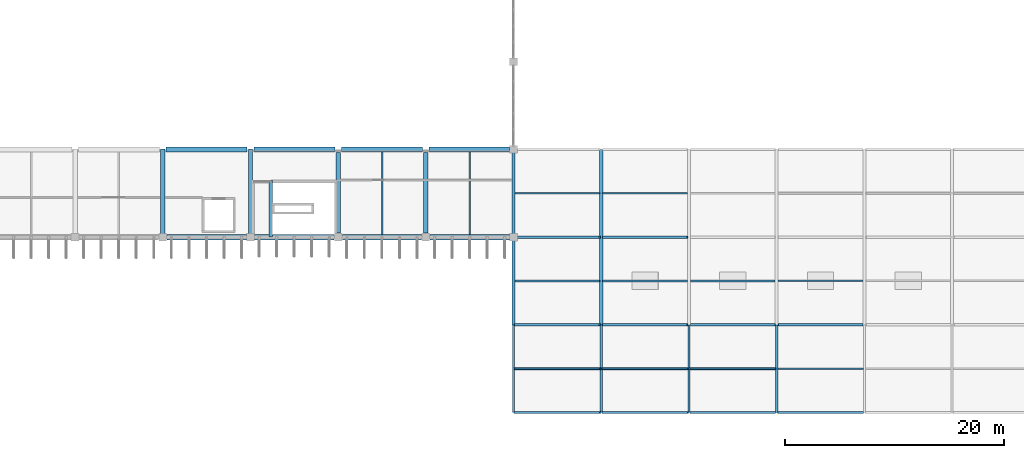
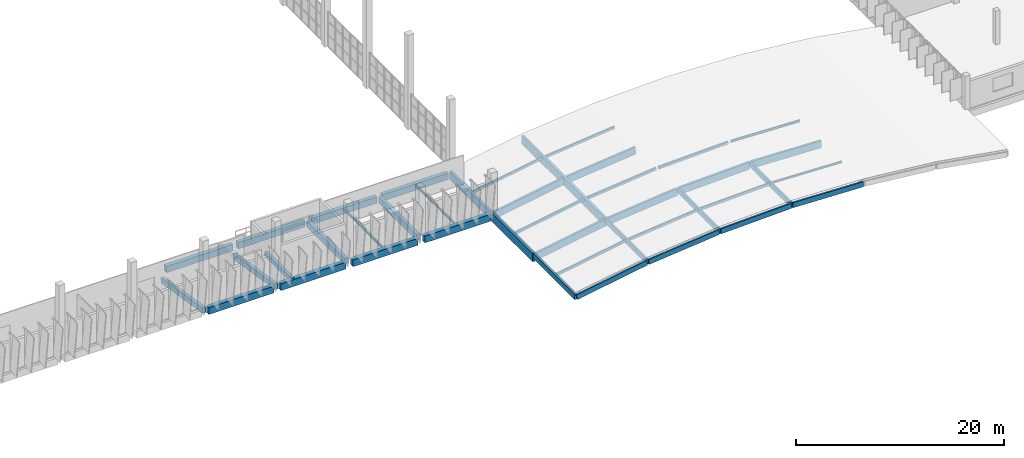
# One storey, part 12 of 66: 31 beams, 10 members.
"""IFC4 building model written with IfcOpenShell, lengths in metres."""

import ifcopenshell
import ifcopenshell.guid

model = None  # the IFC model being written
_history = None  # IfcOwnerHistory: only IFC2X3 demands one
_inside = {}  # id of a spatial element -> (the spatial element, [elements in it])
_under = {}  # id of a project, library or spatial element -> (it, [spatial elements below it])
_declared = {}  # id of a project -> (the project, [libraries it declares])
_typed = {}  # id of a type object -> (the type object, [elements of that type])
_made_of = {}  # id of a material, layer set ... -> (it, [elements and type objects made of it])


def new_model(schema):
    """Start an empty IFC model of exactly this schema.

    Asked for "IFC4X3", IfcOpenShell would pick the latest addendum, in which some entities
    have other attributes; the version numbers below select the first issue.
    IFC2X3 requires an IfcOwnerHistory on every rooted entity: one is made here for all.
    """
    global model, _history
    if schema == "IFC4X3":
        model = ifcopenshell.file(schema_version=(4, 3, 0, 0))
    else:
        model = ifcopenshell.file(schema=schema)
    _inside.clear()
    _under.clear()
    _declared.clear()
    _typed.clear()
    _made_of.clear()
    _history = None
    if model.schema == "IFC2X3":
        org = make("IfcOrganization", Name="unknown")
        user = make(
            "IfcPersonAndOrganization",
            ThePerson=make("IfcPerson", FamilyName="unknown"),
            TheOrganization=org,
        )
        app = make(
            "IfcApplication",
            ApplicationDeveloper=org,
            Version="unknown",
            ApplicationFullName="unknown",
            ApplicationIdentifier="unknown",
        )
        _history = make(
            "IfcOwnerHistory",
            OwningUser=user,
            OwningApplication=app,
            ChangeAction="ADDED",
            CreationDate=0,
        )
    return model


def make(cls, **values):
    """One entity of the class cls with the attributes given. An attribute that is None is left unset."""
    return model.create_entity(
        cls, **{name: value for name, value in values.items() if value is not None}
    )


def rooted(cls, **values):
    """An entity with a GlobalId (a new one), such as an element, a storey or a relation."""
    return make(cls, GlobalId=ifcopenshell.guid.new(), OwnerHistory=_history, **values)


def si_unit(unit_type, name, prefix=None):
    """IfcSIUnit, for example si_unit("LENGTHUNIT", "METRE", prefix="MILLI")."""
    return make("IfcSIUnit", UnitType=unit_type, Prefix=prefix, Name=name)


def assignment(units):
    """IfcUnitAssignment: the units of a project."""
    return None if units is None else make("IfcUnitAssignment", Units=units)


def point(xyz):
    """IfcCartesianPoint."""
    return None if xyz is None else make("IfcCartesianPoint", Coordinates=xyz)


def direction(xyz):
    """IfcDirection."""
    return None if xyz is None else make("IfcDirection", DirectionRatios=xyz)


def frame(location, z_axis=None, x_axis=None):
    """IfcAxis2Placement3D, a coordinate frame: its origin and axes. An axis left out is left unset."""
    return make(
        "IfcAxis2Placement3D",
        Location=point(location),
        Axis=direction(z_axis),
        RefDirection=direction(x_axis),
    )


def frame_2d(location, x_axis=None):
    """IfcAxis2Placement2D, a coordinate frame in the plane: its origin and x axis."""
    return make(
        "IfcAxis2Placement2D", Location=point(location), RefDirection=direction(x_axis)
    )


def origin():
    """The frame at (0, 0, 0) with its axes left unset."""
    return frame((0.0, 0.0, 0.0))


def origin_2d():
    """The frame at (0, 0) in the plane with its x axis left unset."""
    return frame_2d((0.0, 0.0))


def place(relative_to, where):
    """IfcLocalPlacement: puts the frame where relative to a parent placement (None: the world)."""
    return make(
        "IfcLocalPlacement", PlacementRelTo=relative_to, RelativePlacement=where
    )


def context(
    kind, dimensions, precision=None, world=None, true_north=None, identifier=None
):
    """IfcGeometricRepresentationContext, for example the 3D "Model" context."""
    return make(
        "IfcGeometricRepresentationContext",
        ContextIdentifier=identifier,
        ContextType=kind,
        CoordinateSpaceDimension=dimensions,
        Precision=precision,
        WorldCoordinateSystem=world,
        TrueNorth=true_north,
    )


def subcontext(parent, identifier, kind, view, scale=None):
    """IfcGeometricRepresentationSubContext, for example "Body" below "Model"."""
    return make(
        "IfcGeometricRepresentationSubContext",
        ContextIdentifier=identifier,
        ContextType=kind,
        ParentContext=parent,
        TargetScale=scale,
        TargetView=view,
    )


def project(units=None, contexts=None):
    """IfcProject with its units and contexts."""
    return rooted(
        "IfcProject",
        Name="project",
        RepresentationContexts=contexts,
        UnitsInContext=assignment(units),
    )


def spatial(cls, under=None, at=None, **own):
    """A site, building, storey or space (cls), placed at a placement, below another one or the project."""
    s = rooted(cls, ObjectPlacement=at, **own)
    if under is not None:
        _under.setdefault(under.id(), (under, []))[1].append(s)
    return s


def profile(cls, at=None, kind="AREA", **sizes):
    """A parametric profile (cls). Its sizes go by their IFC names, for example OverallWidth=200.0."""
    return make(cls, ProfileType=kind, Position=at, **sizes)


def rectangle(**sizes):
    """IfcRectangleProfileDef."""
    return profile("IfcRectangleProfileDef", **sizes)


def hollow_rectangle(**sizes):
    """IfcRectangleHollowProfileDef."""
    return profile("IfcRectangleHollowProfileDef", **sizes)


def i_section(**sizes):
    """IfcIShapeProfileDef."""
    return profile("IfcIShapeProfileDef", **sizes)


def extrude(swept, where, along, depth):
    """IfcExtrudedAreaSolid: the profile swept, set in the frame where, extruded along a direction by depth."""
    return make(
        "IfcExtrudedAreaSolid",
        SweptArea=swept,
        Position=where,
        ExtrudedDirection=direction(along),
        Depth=depth,
    )


def shape(context_of_items, identifier, shape_type, items):
    """IfcShapeRepresentation: the items that make up one representation, for example the "Body"."""
    return make(
        "IfcShapeRepresentation",
        ContextOfItems=context_of_items,
        RepresentationIdentifier=identifier,
        RepresentationType=shape_type,
        Items=items,
    )


def material(Name=None, Category=None):
    """IfcMaterial."""
    return make("IfcMaterial", Name=Name, Category=Category)


def material_profile(
    of_material, cross_section, Name=None, Category=None, Priority=None
):
    """IfcMaterialProfile: a cross section and its material."""
    return make(
        "IfcMaterialProfile",
        Name=Name,
        Material=of_material,
        Profile=cross_section,
        Priority=Priority,
        Category=Category,
    )


def profile_set(profiles, Name=None, composite=None):
    """IfcMaterialProfileSet."""
    return make(
        "IfcMaterialProfileSet",
        Name=Name,
        MaterialProfiles=profiles,
        CompositeProfile=composite,
    )


def made_of(thing, what):
    """Note that an element or type object is made of a material, layer set ...; save() writes the relation."""
    if what is not None:
        _made_of.setdefault(what.id(), (what, []))[1].append(thing)
    return thing


def type_object(cls, material=None, **own):
    """A type object (cls), such as IfcWallType, which elements share."""
    return made_of(rooted(cls, **own), material)


def element(
    cls,
    number,
    at=None,
    inside=None,
    cuts=None,
    type_object=None,
    material=None,
    context=None,
    identifier="Body",
    shape_type=None,
    held_by="IfcProductDefinitionShape",
    body=None,
    shapes=None,
    **own,
):
    """One element of the class cls, such as IfcWall. Its Tag is "e" and its number.

    at: its placement. inside: the storey or other place that contains it. cuts: it is an
    opening in that element (IfcRelVoidsElement). A single representation is given by context,
    identifier, shape_type and body (its items); several are given by shapes. held_by: the class
    of the entity that holds the representations. save() writes the other relations.
    """
    e = rooted(cls, Tag="e%d" % number, ObjectPlacement=at, **own)
    if body is not None:
        shapes = [shape(context, identifier, shape_type, body)]
    if shapes is not None:
        e.Representation = make(held_by, Representations=shapes)
    if inside is not None:
        _inside.setdefault(inside.id(), (inside, []))[1].append(e)
    if cuts is not None:
        rooted(
            "IfcRelVoidsElement", RelatingBuildingElement=cuts, RelatedOpeningElement=e
        )
    if type_object is not None:
        _typed.setdefault(type_object.id(), (type_object, []))[1].append(e)
    return made_of(e, material)


def aggregate(whole, parts):
    """IfcRelAggregates: a whole, such as a stair, and the parts it consists of."""
    return rooted("IfcRelAggregates", RelatingObject=whole, RelatedObjects=parts)


def save(model, path):
    """Write the relations noted so far, then the file.

    IfcRelAggregates (storeys below a building ...), IfcRelContainedInSpatialStructure (elements
    in a storey), IfcRelDefinesByType, IfcRelAssociatesMaterial and IfcRelDeclares: one each for
    every whole, place, type object, material and project.
    """
    for whole, parts in _under.values():
        aggregate(whole, parts)
    for where, things in _inside.values():
        rooted(
            "IfcRelContainedInSpatialStructure",
            RelatedElements=things,
            RelatingStructure=where,
        )
    for kind, things in _typed.values():
        rooted("IfcRelDefinesByType", RelatedObjects=things, RelatingType=kind)
    for what, things in _made_of.values():
        rooted("IfcRelAssociatesMaterial", RelatedObjects=things, RelatingMaterial=what)
    for by, libraries in _declared.values():
        rooted("IfcRelDeclares", RelatingContext=by, RelatedDefinitions=libraries)
    model.write(path)


model = new_model("IFC4")

# Units and contexts
model_context = context("Model", 3, precision=1e-05, world=origin(), true_north=direction((0.0, 1.0)))
body_context = subcontext(model_context, "Body", "Model", "MODEL_VIEW")
ifc_project = project(units=[si_unit("LENGTHUNIT", "METRE"), si_unit("AREAUNIT", "SQUARE_METRE"), si_unit("VOLUMEUNIT", "CUBIC_METRE"), si_unit("PLANEANGLEUNIT", "RADIAN"), si_unit("MASSUNIT", "GRAM", prefix="KILO")], contexts=[model_context])

# Site, building, storey
site_placement = place(None, origin())
site = spatial("IfcSite", under=ifc_project, at=site_placement, CompositionType="ELEMENT")
building_placement = place(site_placement, origin())
building = spatial("IfcBuilding", under=site, at=building_placement, Name="Drelvana Railside Aquatics Centre", CompositionType="ELEMENT")
storey_placement = place(building_placement, frame((0.0, 0.0, 10.199951171875)))
storey = spatial("IfcBuildingStorey", under=building, at=storey_placement, Name="L02", CompositionType="ELEMENT", Elevation=10.199951171875)

# Beams
ifc_material_1 = material(Name="Concrete C40/50", Category="concrete")
ifc_material_profile_1 = material_profile(ifc_material_1, rectangle(XDim=0.35009765625, YDim=0.550048828125, at=origin_2d()), Name="RC 350x550")
ifc_profile_set_1 = profile_set([ifc_material_profile_1], Name="Concrete C40/50")
beam_type_1 = type_object("IfcBeamType", Name="STR-BM-BM-01-RC-350x550", PredefinedType="BEAM", material=ifc_profile_set_1)
beam_1_placement = place(storey_placement, frame((73.85009765625, 16.0, -0.474853515625), z_axis=(0.0, 1.0, 0.0), x_axis=(-1.0, 0.0, 0.0)))
element("IfcBeam", 1, at=beam_1_placement, inside=storey, type_object=beam_type_1, Name="Stair ST-02 L02 landing beam", PredefinedType="BEAM", context=body_context, shape_type="SweptSolid", body=[
    extrude(rectangle(XDim=0.35009765625, YDim=0.550048828125, at=origin_2d()), origin(), (0.0, 0.0, 1.0), 5.199951171875),
])
ifc_material_profile_2 = material_profile(ifc_material_1, rectangle(XDim=0.39990234375, YDim=0.699951171875, at=origin_2d()), Name="RC 400x700")
ifc_profile_set_2 = profile_set([ifc_material_profile_2], Name="Concrete C40/50")
beam_type_2 = type_object("IfcBeamType", Name="STR-BM-BM-03-RC-400x700", PredefinedType="BEAM", material=ifc_profile_set_2)
for number, where, z_axis, x_axis, name in (
    (2, (80.0, 16.375, -0.599853515625), (0.0, 1.0, 0.0), (-1.0, 0.0, 0.0), "Girder BM-03 (L02)"),
    (3, (88.0, 16.375, -0.599853515625), (0.0, 1.0, 0.0), (-1.0, 0.0, 0.0), "Girder BM-03 (L02)"),
):
    element("IfcBeam", number, at=place(storey_placement, frame(where, z_axis=z_axis, x_axis=x_axis)), inside=storey, type_object=beam_type_2, Name=name, PredefinedType="BEAM", context=body_context, shape_type="SweptSolid", body=[
        extrude(rectangle(XDim=0.39990234375, YDim=0.699951171875, at=origin_2d()), origin(), (0.0, 0.0, 1.0), 7.324951171875),
    ])
ifc_material_profile_3 = material_profile(ifc_material_1, rectangle(XDim=0.449951171875, YDim=0.75, at=origin_2d()), Name="RC 450x750")
ifc_profile_set_3 = profile_set([ifc_material_profile_3], Name="Concrete C40/50")
beam_type_3 = type_object("IfcBeamType", Name="STR-BM-BM-04-RC-450x750", PredefinedType="BEAM", material=ifc_profile_set_3)
for number, where, z_axis, x_axis, name in (
    (4, (64.300048828125, 24.0, -0.625), (1.0, 0.0, 0.0), (0.0, 1.0, 0.0), "Girder BM-04 (L02)"),
    (5, (72.300048828125, 24.0, -0.625), (1.0, 0.0, 0.0), (0.0, 1.0, 0.0), "Girder BM-04 (L02)"),
    (6, (80.300048828125, 24.0, -0.625), (1.0, 0.0, 0.0), (0.0, 1.0, 0.0), "Girder BM-04 (L02)"),
):
    element("IfcBeam", number, at=place(storey_placement, frame(where, z_axis=z_axis, x_axis=x_axis)), inside=storey, type_object=beam_type_3, Name=name, PredefinedType="BEAM", context=body_context, shape_type="SweptSolid", body=[
        extrude(rectangle(XDim=0.449951171875, YDim=0.75, at=origin_2d()), origin(), (0.0, 0.0, 1.0), 7.39990234375),
    ])
beam_2_placement = place(storey_placement, frame((88.300048828125, 24.0, -0.625), z_axis=(1.0, 0.0, 0.0), x_axis=(0.0, 1.0, 0.0)))
element("IfcBeam", 7, at=beam_2_placement, inside=storey, type_object=beam_type_3, Name="Girder BM-04 (L02)", PredefinedType="BEAM", context=body_context, shape_type="SweptSolid", body=[
    extrude(rectangle(XDim=0.449951171875, YDim=0.75, at=origin_2d()), origin(), (0.0, 0.0, 1.0), 7.324951171875),
])
ifc_material_profile_4 = material_profile(ifc_material_1, rectangle(XDim=0.5, YDim=0.800048828125, at=origin_2d()), Name="RC 500x800")
ifc_profile_set_4 = profile_set([ifc_material_profile_4], Name="Concrete C40/50")
beam_type_4 = type_object("IfcBeamType", Name="STR-BM-BM-06-RC-500x800", PredefinedType="SPANDREL", material=ifc_profile_set_4)
for number, where, z_axis, x_axis, name in (
    (8, (64.375, 16.0, -0.64990234375), (1.0, 0.0, 0.0), (0.0, 1.0, 0.0), "Girder BM-06 (L02)"),
    (9, (72.375, 16.0, -0.64990234375), (1.0, 0.0, 0.0), (0.0, 1.0, 0.0), "Girder BM-06 (L02)"),
    (10, (80.375, 16.0, -0.64990234375), (1.0, 0.0, 0.0), (0.0, 1.0, 0.0), "Girder BM-06 (L02)"),
    (11, (88.375, 16.0, -0.64990234375), (1.0, 0.0, 0.0), (0.0, 1.0, 0.0), "Girder BM-06 (L02)"),
):
    element("IfcBeam", number, at=place(storey_placement, frame(where, z_axis=z_axis, x_axis=x_axis)), inside=storey, type_object=beam_type_4, Name=name, PredefinedType="SPANDREL", context=body_context, shape_type="SweptSolid", body=[
        extrude(rectangle(XDim=0.5, YDim=0.800048828125, at=origin_2d()), origin(), (0.0, 0.0, 1.0), 7.25),
    ])
ifc_material_profile_5 = material_profile(ifc_material_1, rectangle(XDim=0.39990234375, YDim=0.60009765625, at=origin_2d()), Name="RC 400x600")
ifc_profile_set_5 = profile_set([ifc_material_profile_5], Name="Concrete C40/50")
beam_type_5 = type_object("IfcBeamType", Name="STR-BM-RK-01-RC-400x600", PredefinedType="USERDEFINED", material=ifc_profile_set_5)
for number, where, z_axis, x_axis, name in (
    (12, (64.0, 24.0, -1.849853515625), (0.0, -0.987056549535, 0.160372591239), (1.0, 0.0, 0.0), "Upper stand raker beam RK-01 X64"),
    (13, (72.0, 24.0, -1.849853515625), (0.0, -0.987056549535, 0.160372591239), (1.0, 0.0, 0.0), "Upper stand raker beam RK-01 X72"),
):
    element("IfcBeam", number, at=place(storey_placement, frame(where, z_axis=z_axis, x_axis=x_axis)), inside=storey, type_object=beam_type_5, Name=name, ObjectType="RAKER", PredefinedType="USERDEFINED", context=body_context, shape_type="SweptSolid", body=[
        extrude(rectangle(XDim=0.39990234375, YDim=0.60009765625, at=origin_2d()), origin(), (0.0, 0.0, 1.0), 8.10498046875),
    ])
ifc_material_2 = material(Name="Glulam timber GL28h", Category="wood")
ifc_material_profile_6 = material_profile(ifc_material_2, rectangle(XDim=0.199951171875, YDim=0.60009765625, at=origin_2d()), Name="GL28h 200x600")
ifc_profile_set_6 = profile_set([ifc_material_profile_6], Name="Glulam timber GL28h")
beam_type_6 = type_object("IfcBeamType", Name="STR-GLB-GA-00", PredefinedType="BEAM", material=ifc_profile_set_6)
for number, where, z_axis, x_axis, name in (
    (14, (96.0, 0.0, -0.489990234375), (0.0, 1.0, 0.0), (-1.0, 0.0, 0.0), "Entrance Foyer vault portal beam X96-S"),
    (15, (104.0, 0.0, 0.84326171875), (0.0, 1.0, 0.0), (-1.0, 0.0, 0.0), "Entrance Foyer vault portal beam X104-S"),
    (16, (112.0, 0.0, 1.643310546875), (0.0, 1.0, 0.0), (-1.0, 0.0, 0.0), "Entrance Foyer vault portal beam X112-S"),
    (17, (120.0, 0.0, 1.91015625), (0.0, 1.0, 0.0), (-1.0, 0.0, 0.0), "Entrance Foyer vault portal beam X120-S"),
):
    element("IfcBeam", number, at=place(storey_placement, frame(where, z_axis=z_axis, x_axis=x_axis)), inside=storey, type_object=beam_type_6, Name=name, PredefinedType="BEAM", context=body_context, shape_type="SweptSolid", body=[
        extrude(rectangle(XDim=0.199951171875, YDim=0.60009765625, at=origin_2d()), origin(), (0.0, 0.0, 1.0), 8.0),
    ])
beam_3_placement = place(storey_placement, frame((96.094970703125, 0.0, -0.52490234375), z_axis=(0.98574004103, 0.0, 0.168275284904), x_axis=(0.0, 1.0, 0.0)))
element("IfcBeam", 18, at=beam_3_placement, inside=storey, type_object=beam_type_6, Name="Entrance Foyer vault arch Y0.1", PredefinedType="BEAM", context=body_context, shape_type="SweptSolid", body=[
    extrude(rectangle(XDim=0.199951171875, YDim=0.60009765625, at=origin_2d()), origin(), (0.0, 0.0, 1.0), 7.923095703125),
])
beam_4_placement = place(storey_placement, frame((104.094970703125, 0.0, 0.808349609375), z_axis=(0.994794136777, 0.0, 0.101904982376), x_axis=(0.0, 1.0, 0.0)))
element("IfcBeam", 19, at=beam_4_placement, inside=storey, type_object=beam_type_6, Name="Entrance Foyer vault arch Y0.2", PredefinedType="BEAM", context=body_context, shape_type="SweptSolid", body=[
    extrude(rectangle(XDim=0.199951171875, YDim=0.60009765625, at=origin_2d()), origin(), (0.0, 0.0, 1.0), 7.850830078125),
])
for number, where, z_axis, x_axis, name in (
    (20, (112.094970703125, 0.0, 1.6083984375), (0.999417886784, 0.0, 0.034115796573), (0.0, 1.0, 0.0), "Entrance Foyer vault arch Y0.3"),
    (21, (120.094970703125, 0.0, 1.875), (0.999417886784, 0.0, -0.034115796573), (0.0, 1.0, 0.0), "Entrance Foyer vault arch Y0.4"),
):
    element("IfcBeam", number, at=place(storey_placement, frame(where, z_axis=z_axis, x_axis=x_axis)), inside=storey, type_object=beam_type_6, Name=name, PredefinedType="BEAM", context=body_context, shape_type="SweptSolid", body=[
        extrude(rectangle(XDim=0.199951171875, YDim=0.60009765625, at=origin_2d()), origin(), (0.0, 0.0, 1.0), 7.814697265625),
    ])
ifc_material_profile_7 = material_profile(ifc_material_2, rectangle(XDim=0.239990234375, YDim=0.840087890625, at=origin_2d()), Name="GL28h 240x840")
ifc_profile_set_7 = profile_set([ifc_material_profile_7], Name="Glulam timber GL28h")
beam_type_7 = type_object("IfcBeamType", Name="STR-GLB-GA-02", PredefinedType="BEAM", material=ifc_profile_set_7)
beam_5_placement = place(storey_placement, frame((96.135009765625, 8.0, -0.64501953125), z_axis=(0.985444297957, 0.0, 0.169998634181), x_axis=(0.0, 1.0, 0.0)))
element("IfcBeam", 22, at=beam_5_placement, inside=storey, type_object=beam_type_7, Name="Entrance Foyer vault arch Y8.1", PredefinedType="BEAM", context=body_context, shape_type="SweptSolid", body=[
    extrude(rectangle(XDim=0.239990234375, YDim=0.840087890625, at=origin_2d()), origin(), (0.0, 0.0, 1.0), 7.84423828125),
])
beam_6_placement = place(storey_placement, frame((104.135009765625, 8.0, 0.6884765625), z_axis=(0.994689797807, 0.0, 0.102918444116), x_axis=(0.0, 1.0, 0.0)))
element("IfcBeam", 23, at=beam_6_placement, inside=storey, type_object=beam_type_7, Name="Entrance Foyer vault arch Y8.2", PredefinedType="BEAM", context=body_context, shape_type="SweptSolid", body=[
    extrude(rectangle(XDim=0.239990234375, YDim=0.840087890625, at=origin_2d()), origin(), (0.0, 0.0, 1.0), 7.771240234375),
])
for number, where, z_axis, x_axis, name in (
    (24, (112.135009765625, 8.0, 1.48828125), (0.999404686553, 0.0, 0.034500326019), (0.0, 1.0, 0.0), "Entrance Foyer vault arch Y8.3"),
    (25, (120.135009765625, 8.0, 1.755126953125), (0.999404686553, 0.0, -0.034500326019), (0.0, 1.0, 0.0), "Entrance Foyer vault arch Y8.4"),
):
    element("IfcBeam", number, at=place(storey_placement, frame(where, z_axis=z_axis, x_axis=x_axis)), inside=storey, type_object=beam_type_7, Name=name, PredefinedType="BEAM", context=body_context, shape_type="SweptSolid", body=[
        extrude(rectangle(XDim=0.239990234375, YDim=0.840087890625, at=origin_2d()), origin(), (0.0, 0.0, 1.0), 7.734619140625),
    ])
beam_7_placement = place(storey_placement, frame((96.135009765625, 16.0, -0.64501953125), z_axis=(0.985444297957, 0.0, 0.169998634181), x_axis=(0.0, 1.0, 0.0)))
element("IfcBeam", 26, at=beam_7_placement, inside=storey, type_object=beam_type_7, Name="Entrance Foyer vault arch Y16.1", PredefinedType="BEAM", context=body_context, shape_type="SweptSolid", body=[
    extrude(rectangle(XDim=0.239990234375, YDim=0.840087890625, at=origin_2d()), origin(), (0.0, 0.0, 1.0), 7.84423828125),
])
beam_8_placement = place(storey_placement, frame((104.135009765625, 16.0, 0.6884765625), z_axis=(0.994689797807, 0.0, 0.102918444116), x_axis=(0.0, 1.0, 0.0)))
element("IfcBeam", 27, at=beam_8_placement, inside=storey, type_object=beam_type_7, Name="Entrance Foyer vault arch Y16.2", PredefinedType="BEAM", context=body_context, shape_type="SweptSolid", body=[
    extrude(rectangle(XDim=0.239990234375, YDim=0.840087890625, at=origin_2d()), origin(), (0.0, 0.0, 1.0), 7.771240234375),
])
ifc_material_profile_8 = material_profile(ifc_material_2, rectangle(XDim=0.280029296875, YDim=0.9599609375, at=origin_2d()), Name="GL28h 280x960")
ifc_profile_set_8 = profile_set([ifc_material_profile_8], Name="Glulam timber GL28h")
beam_type_8 = type_object("IfcBeamType", Name="STR-GLB-GA-03", PredefinedType="BEAM", material=ifc_profile_set_8)
for number, where, z_axis, x_axis, name in (
    (28, (96.0, 8.0, -0.72998046875), (0.0, 1.0, 0.0), (-1.0, 0.0, 0.0), "Entrance Foyer vault portal beam X96-N"),
    (29, (104.0, 8.0, 0.663330078125), (0.0, 1.0, 0.0), (-1.0, 0.0, 0.0), "Entrance Foyer vault portal beam X104-N"),
):
    element("IfcBeam", number, at=place(storey_placement, frame(where, z_axis=z_axis, x_axis=x_axis)), inside=storey, type_object=beam_type_8, Name=name, PredefinedType="BEAM", context=body_context, shape_type="SweptSolid", body=[
        extrude(rectangle(XDim=0.280029296875, YDim=0.9599609375, at=origin_2d()), origin(), (0.0, 0.0, 1.0), 16.0),
    ])

# Members
ifc_material_profile_9 = material_profile(ifc_material_2, rectangle(XDim=0.159912109375, YDim=0.320068359375, at=origin_2d()), Name="GL28h 160x320")
ifc_profile_set_9 = profile_set([ifc_material_profile_9], Name="Glulam timber GL28h")
member_type_1 = type_object("IfcMemberType", Name="STR-GLM-GR-01", PredefinedType="RAFTER", material=ifc_profile_set_9)
member_1_placement = place(storey_placement, frame((96.094970703125, 4.0, -0.385009765625), z_axis=(0.985734929308, 0.0, 0.168305226129), x_axis=(0.0, 1.0, 0.0)))
element("IfcMember", 30, at=member_1_placement, inside=storey, type_object=member_type_1, Name="Entrance Foyer vault purlin Y4.1", PredefinedType="RAFTER", context=body_context, shape_type="SweptSolid", body=[
    extrude(rectangle(XDim=0.159912109375, YDim=0.320068359375, at=origin_2d()), origin(), (0.0, 0.0, 1.0), 7.923095703125),
])
member_2_placement = place(storey_placement, frame((104.094970703125, 4.0, 0.948486328125), z_axis=(0.994797288757, 0.0, 0.101874208127), x_axis=(0.0, 1.0, 0.0)))
element("IfcMember", 31, at=member_2_placement, inside=storey, type_object=member_type_1, Name="Entrance Foyer vault purlin Y4.2", PredefinedType="RAFTER", context=body_context, shape_type="SweptSolid", body=[
    extrude(rectangle(XDim=0.159912109375, YDim=0.320068359375, at=origin_2d()), origin(), (0.0, 0.0, 1.0), 7.850830078125),
])
member_3_placement = place(storey_placement, frame((112.094970703125, 4.0, 1.748291015625), z_axis=(0.999416821087, 0.0, 0.034147001733), x_axis=(0.0, 1.0, 0.0)))
element("IfcMember", 32, at=member_3_placement, inside=storey, type_object=member_type_1, Name="Entrance Foyer vault purlin Y4.3", PredefinedType="RAFTER", context=body_context, shape_type="SweptSolid", body=[
    extrude(rectangle(XDim=0.159912109375, YDim=0.320068359375, at=origin_2d()), origin(), (0.0, 0.0, 1.0), 7.814697265625),
])
ifc_material_3 = material(Name="Structural steel S355", Category="steel")
ifc_material_profile_10 = material_profile(ifc_material_3, hollow_rectangle(XDim=0.14990234375, YDim=0.300048828125, WallThickness=0.011962890625, at=origin_2d()), Name="RHS 300x150x12")
ifc_profile_set_10 = profile_set([ifc_material_profile_10], Name="Structural steel S355")
member_type_2 = type_object("IfcMemberType", Name="STR-MBR-MR-01", PredefinedType="RAFTER", material=ifc_profile_set_10)
member_4_placement = place(storey_placement, frame((96.135009765625, 20.0, -0.375), z_axis=(0.985444297957, 0.0, 0.169998634181), x_axis=(0.0, 1.0, 0.0)))
element("IfcMember", 33, at=member_4_placement, inside=storey, type_object=member_type_2, Name="Entrance Foyer vault purlin Y20.1", PredefinedType="RAFTER", context=body_context, shape_type="SweptSolid", body=[
    extrude(hollow_rectangle(XDim=0.14990234375, YDim=0.300048828125, WallThickness=0.011962890625, at=origin_2d()), origin(), (0.0, 0.0, 1.0), 7.84423828125),
])
member_5_placement = place(storey_placement, frame((104.135009765625, 20.0, 0.95849609375), z_axis=(0.994689797807, 0.0, 0.102918444116), x_axis=(0.0, 1.0, 0.0)))
element("IfcMember", 34, at=member_5_placement, inside=storey, type_object=member_type_2, Name="Entrance Foyer vault purlin Y20.2", PredefinedType="RAFTER", context=body_context, shape_type="SweptSolid", body=[
    extrude(hollow_rectangle(XDim=0.14990234375, YDim=0.300048828125, WallThickness=0.011962890625, at=origin_2d()), origin(), (0.0, 0.0, 1.0), 7.771240234375),
])
ifc_material_profile_11 = material_profile(ifc_material_3, hollow_rectangle(XDim=0.199951171875, YDim=0.300048828125, WallThickness=0.011962890625, at=origin_2d()), Name="RHS 300x200x12")
ifc_profile_set_11 = profile_set([ifc_material_profile_11], Name="Structural steel S355")
member_type_3 = type_object("IfcMemberType", Name="STR-MBR-MR-02", PredefinedType="RAFTER", material=ifc_profile_set_11)
member_6_placement = place(storey_placement, frame((96.135009765625, 12.0, -0.375), z_axis=(0.985444297957, 0.0, 0.169998634181), x_axis=(0.0, 1.0, 0.0)))
element("IfcMember", 35, at=member_6_placement, inside=storey, type_object=member_type_3, Name="Entrance Foyer vault purlin Y12.1", PredefinedType="RAFTER", context=body_context, shape_type="SweptSolid", body=[
    extrude(hollow_rectangle(XDim=0.199951171875, YDim=0.300048828125, WallThickness=0.011962890625, at=origin_2d()), origin(), (0.0, 0.0, 1.0), 7.84423828125),
])
member_7_placement = place(storey_placement, frame((104.135009765625, 12.0, 0.95849609375), z_axis=(0.994689797807, 0.0, 0.102918444116), x_axis=(0.0, 1.0, 0.0)))
element("IfcMember", 36, at=member_7_placement, inside=storey, type_object=member_type_3, Name="Entrance Foyer vault purlin Y12.2", PredefinedType="RAFTER", context=body_context, shape_type="SweptSolid", body=[
    extrude(hollow_rectangle(XDim=0.199951171875, YDim=0.300048828125, WallThickness=0.011962890625, at=origin_2d()), origin(), (0.0, 0.0, 1.0), 7.771240234375),
])
member_8_placement = place(storey_placement, frame((112.135009765625, 12.0, 1.75830078125), z_axis=(0.999404686553, 0.0, 0.034500326019), x_axis=(0.0, 1.0, 0.0)))
element("IfcMember", 37, at=member_8_placement, inside=storey, type_object=member_type_3, Name="Entrance Foyer vault purlin Y12.3", PredefinedType="RAFTER", context=body_context, shape_type="SweptSolid", body=[
    extrude(hollow_rectangle(XDim=0.199951171875, YDim=0.300048828125, WallThickness=0.011962890625, at=origin_2d()), origin(), (0.0, 0.0, 1.0), 7.734619140625),
])
ifc_material_profile_12 = material_profile(ifc_material_3, i_section(OverallWidth=0.1201171875, OverallDepth=0.239990234375, WebThickness=0.006103515625, FlangeThickness=0.009765625, at=origin_2d()), Name="IPE 240")
ifc_profile_set_12 = profile_set([ifc_material_profile_12], Name="Structural steel S355")
member_type_4 = type_object("IfcMemberType", Name="STR-MBR-MR-03", PredefinedType="RAFTER", material=ifc_profile_set_12)
member_9_placement = place(storey_placement, frame((120.094970703125, 4.0, 2.054931640625), z_axis=(0.999417886784, 0.0, -0.034115796573), x_axis=(0.0, 1.0, 0.0)))
element("IfcMember", 38, at=member_9_placement, inside=storey, type_object=member_type_4, Name="Entrance Foyer vault purlin Y4.4", PredefinedType="RAFTER", context=body_context, shape_type="SweptSolid", body=[
    extrude(i_section(OverallWidth=0.1201171875, OverallDepth=0.239990234375, WebThickness=0.006103515625, FlangeThickness=0.009765625, at=origin_2d()), origin(), (0.0, 0.0, 1.0), 7.814697265625),
])
ifc_material_profile_13 = material_profile(ifc_material_3, i_section(OverallWidth=0.135009765625, OverallDepth=0.27001953125, WebThickness=0.006591796875, FlangeThickness=0.01025390625, at=origin_2d()), Name="IPE 270")
ifc_profile_set_13 = profile_set([ifc_material_profile_13], Name="Structural steel S355")
member_type_5 = type_object("IfcMemberType", Name="STR-MBR-MR-04", PredefinedType="RAFTER", material=ifc_profile_set_13)
member_10_placement = place(storey_placement, frame((120.135009765625, 12.0, 2.0400390625), z_axis=(0.999405774405, 0.0, -0.034468798738), x_axis=(0.0, 1.0, 0.0)))
element("IfcMember", 39, at=member_10_placement, inside=storey, type_object=member_type_5, Name="Entrance Foyer vault purlin Y12.4", PredefinedType="RAFTER", context=body_context, shape_type="SweptSolid", body=[
    extrude(i_section(OverallWidth=0.135009765625, OverallDepth=0.27001953125, WebThickness=0.006591796875, FlangeThickness=0.01025390625, at=origin_2d()), origin(), (0.0, 0.0, 1.0), 7.734619140625),
])

# Beams
ifc_material_profile_14 = material_profile(ifc_material_3, i_section(OverallWidth=0.135009765625, OverallDepth=0.27001953125, WebThickness=0.006591796875, FlangeThickness=0.01025390625, at=origin_2d()), Name="IPE 270")
ifc_profile_set_14 = profile_set([ifc_material_profile_14], Name="Structural steel S355")
beam_type_9 = type_object("IfcBeamType", Name="STR-SBM-SJ-02-IPE-270", PredefinedType="JOIST", material=ifc_profile_set_14)
for number, where, z_axis, x_axis, name in (
    (40, (84.0, 16.25, -0.385009765625), (0.0, 1.0, 0.0), (-1.0, 0.0, 0.0), "Secondary floor joist SJ-02 (L02)"),
    (41, (92.0, 16.25, -0.385009765625), (0.0, 1.0, 0.0), (-1.0, 0.0, 0.0), "Secondary floor joist SJ-02 (L02)"),
):
    element("IfcBeam", number, at=place(storey_placement, frame(where, z_axis=z_axis, x_axis=x_axis)), inside=storey, type_object=beam_type_9, Name=name, PredefinedType="JOIST", context=body_context, shape_type="SweptSolid", body=[
        extrude(i_section(OverallWidth=0.135009765625, OverallDepth=0.27001953125, WebThickness=0.006591796875, FlangeThickness=0.01025390625, at=origin_2d()), origin(), (0.0, 0.0, 1.0), 7.52490234375),
    ])

save(model, "model.ifc")
